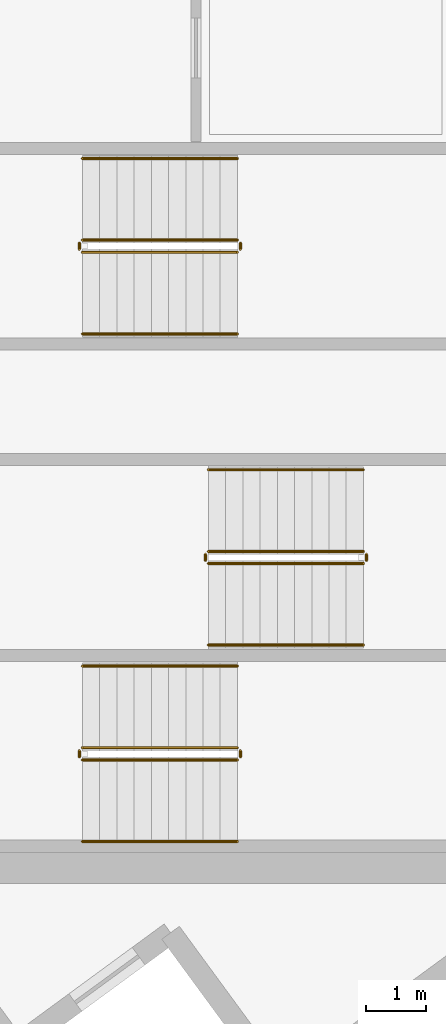
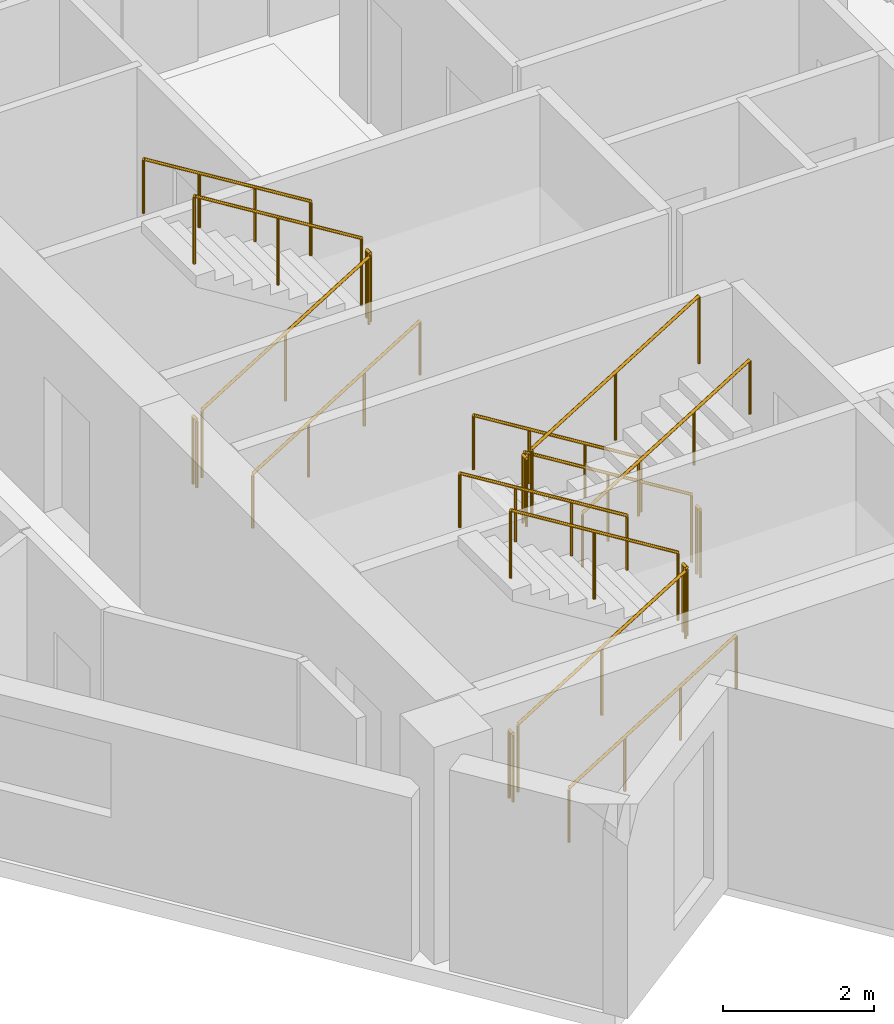
# One storey, part 13 of 14: 18 railings.
"""IFC4 building model written with IfcOpenShell, lengths in metres."""

import ifcopenshell
import ifcopenshell.guid

model = None  # the IFC model being written
_history = None  # IfcOwnerHistory: only IFC2X3 demands one
_inside = {}  # id of a spatial element -> (the spatial element, [elements in it])
_under = {}  # id of a project, library or spatial element -> (it, [spatial elements below it])
_declared = {}  # id of a project -> (the project, [libraries it declares])
_typed = {}  # id of a type object -> (the type object, [elements of that type])
_made_of = {}  # id of a material, layer set ... -> (it, [elements and type objects made of it])


def new_model(schema):
    """Start an empty IFC model of exactly this schema.

    Asked for "IFC4X3", IfcOpenShell would pick the latest addendum, in which some entities
    have other attributes; the version numbers below select the first issue.
    IFC2X3 requires an IfcOwnerHistory on every rooted entity: one is made here for all.
    """
    global model, _history
    if schema == "IFC4X3":
        model = ifcopenshell.file(schema_version=(4, 3, 0, 0))
    else:
        model = ifcopenshell.file(schema=schema)
    _inside.clear()
    _under.clear()
    _declared.clear()
    _typed.clear()
    _made_of.clear()
    _history = None
    if model.schema == "IFC2X3":
        org = make("IfcOrganization", Name="unknown")
        user = make(
            "IfcPersonAndOrganization",
            ThePerson=make("IfcPerson", FamilyName="unknown"),
            TheOrganization=org,
        )
        app = make(
            "IfcApplication",
            ApplicationDeveloper=org,
            Version="unknown",
            ApplicationFullName="unknown",
            ApplicationIdentifier="unknown",
        )
        _history = make(
            "IfcOwnerHistory",
            OwningUser=user,
            OwningApplication=app,
            ChangeAction="ADDED",
            CreationDate=0,
        )
    return model


def make(cls, **values):
    """One entity of the class cls with the attributes given. An attribute that is None is left unset."""
    return model.create_entity(
        cls, **{name: value for name, value in values.items() if value is not None}
    )


def rooted(cls, **values):
    """An entity with a GlobalId (a new one), such as an element, a storey or a relation."""
    return make(cls, GlobalId=ifcopenshell.guid.new(), OwnerHistory=_history, **values)


def si_unit(unit_type, name, prefix=None):
    """IfcSIUnit, for example si_unit("LENGTHUNIT", "METRE", prefix="MILLI")."""
    return make("IfcSIUnit", UnitType=unit_type, Prefix=prefix, Name=name)


def assignment(units):
    """IfcUnitAssignment: the units of a project."""
    return None if units is None else make("IfcUnitAssignment", Units=units)


def point(xyz):
    """IfcCartesianPoint."""
    return None if xyz is None else make("IfcCartesianPoint", Coordinates=xyz)


def direction(xyz):
    """IfcDirection."""
    return None if xyz is None else make("IfcDirection", DirectionRatios=xyz)


def frame(location, z_axis=None, x_axis=None):
    """IfcAxis2Placement3D, a coordinate frame: its origin and axes. An axis left out is left unset."""
    return make(
        "IfcAxis2Placement3D",
        Location=point(location),
        Axis=direction(z_axis),
        RefDirection=direction(x_axis),
    )


def frame_2d(location, x_axis=None):
    """IfcAxis2Placement2D, a coordinate frame in the plane: its origin and x axis."""
    return make(
        "IfcAxis2Placement2D", Location=point(location), RefDirection=direction(x_axis)
    )


def origin():
    """The frame at (0, 0, 0) with its axes left unset."""
    return frame((0.0, 0.0, 0.0))


def origin_2d():
    """The frame at (0, 0) in the plane with its x axis left unset."""
    return frame_2d((0.0, 0.0))


def place(relative_to, where):
    """IfcLocalPlacement: puts the frame where relative to a parent placement (None: the world)."""
    return make(
        "IfcLocalPlacement", PlacementRelTo=relative_to, RelativePlacement=where
    )


def context(
    kind, dimensions, precision=None, world=None, true_north=None, identifier=None
):
    """IfcGeometricRepresentationContext, for example the 3D "Model" context."""
    return make(
        "IfcGeometricRepresentationContext",
        ContextIdentifier=identifier,
        ContextType=kind,
        CoordinateSpaceDimension=dimensions,
        Precision=precision,
        WorldCoordinateSystem=world,
        TrueNorth=true_north,
    )


def subcontext(parent, identifier, kind, view, scale=None):
    """IfcGeometricRepresentationSubContext, for example "Body" below "Model"."""
    return make(
        "IfcGeometricRepresentationSubContext",
        ContextIdentifier=identifier,
        ContextType=kind,
        ParentContext=parent,
        TargetScale=scale,
        TargetView=view,
    )


def project(units=None, contexts=None):
    """IfcProject with its units and contexts."""
    return rooted(
        "IfcProject",
        Name="project",
        RepresentationContexts=contexts,
        UnitsInContext=assignment(units),
    )


def spatial(cls, under=None, at=None, **own):
    """A site, building, storey or space (cls), placed at a placement, below another one or the project."""
    s = rooted(cls, ObjectPlacement=at, **own)
    if under is not None:
        _under.setdefault(under.id(), (under, []))[1].append(s)
    return s


def profile(cls, at=None, kind="AREA", **sizes):
    """A parametric profile (cls). Its sizes go by their IFC names, for example OverallWidth=200.0."""
    return make(cls, ProfileType=kind, Position=at, **sizes)


def circle(**sizes):
    """IfcCircleProfileDef."""
    return profile("IfcCircleProfileDef", **sizes)


def extrude(swept, where, along, depth):
    """IfcExtrudedAreaSolid: the profile swept, set in the frame where, extruded along a direction by depth."""
    return make(
        "IfcExtrudedAreaSolid",
        SweptArea=swept,
        Position=where,
        ExtrudedDirection=direction(along),
        Depth=depth,
    )


def shape(context_of_items, identifier, shape_type, items):
    """IfcShapeRepresentation: the items that make up one representation, for example the "Body"."""
    return make(
        "IfcShapeRepresentation",
        ContextOfItems=context_of_items,
        RepresentationIdentifier=identifier,
        RepresentationType=shape_type,
        Items=items,
    )


def material(Name=None, Category=None):
    """IfcMaterial."""
    return make("IfcMaterial", Name=Name, Category=Category)


def made_of(thing, what):
    """Note that an element or type object is made of a material, layer set ...; save() writes the relation."""
    if what is not None:
        _made_of.setdefault(what.id(), (what, []))[1].append(thing)
    return thing


def type_object(cls, material=None, **own):
    """A type object (cls), such as IfcWallType, which elements share."""
    return made_of(rooted(cls, **own), material)


def element(
    cls,
    number,
    at=None,
    inside=None,
    cuts=None,
    type_object=None,
    material=None,
    context=None,
    identifier="Body",
    shape_type=None,
    held_by="IfcProductDefinitionShape",
    body=None,
    shapes=None,
    **own,
):
    """One element of the class cls, such as IfcWall. Its Tag is "e" and its number.

    at: its placement. inside: the storey or other place that contains it. cuts: it is an
    opening in that element (IfcRelVoidsElement). A single representation is given by context,
    identifier, shape_type and body (its items); several are given by shapes. held_by: the class
    of the entity that holds the representations. save() writes the other relations.
    """
    e = rooted(cls, Tag="e%d" % number, ObjectPlacement=at, **own)
    if body is not None:
        shapes = [shape(context, identifier, shape_type, body)]
    if shapes is not None:
        e.Representation = make(held_by, Representations=shapes)
    if inside is not None:
        _inside.setdefault(inside.id(), (inside, []))[1].append(e)
    if cuts is not None:
        rooted(
            "IfcRelVoidsElement", RelatingBuildingElement=cuts, RelatedOpeningElement=e
        )
    if type_object is not None:
        _typed.setdefault(type_object.id(), (type_object, []))[1].append(e)
    return made_of(e, material)


def aggregate(whole, parts):
    """IfcRelAggregates: a whole, such as a stair, and the parts it consists of."""
    return rooted("IfcRelAggregates", RelatingObject=whole, RelatedObjects=parts)


def save(model, path):
    """Write the relations noted so far, then the file.

    IfcRelAggregates (storeys below a building ...), IfcRelContainedInSpatialStructure (elements
    in a storey), IfcRelDefinesByType, IfcRelAssociatesMaterial and IfcRelDeclares: one each for
    every whole, place, type object, material and project.
    """
    for whole, parts in _under.values():
        aggregate(whole, parts)
    for where, things in _inside.values():
        rooted(
            "IfcRelContainedInSpatialStructure",
            RelatedElements=things,
            RelatingStructure=where,
        )
    for kind, things in _typed.values():
        rooted("IfcRelDefinesByType", RelatedObjects=things, RelatingType=kind)
    for what, things in _made_of.values():
        rooted("IfcRelAssociatesMaterial", RelatedObjects=things, RelatingMaterial=what)
    for by, libraries in _declared.values():
        rooted("IfcRelDeclares", RelatingContext=by, RelatedDefinitions=libraries)
    model.write(path)


model = new_model("IFC4")

# Units and contexts
model_context = context("Model", 3, precision=1e-05, world=origin(), true_north=direction((0.0, 1.0)))
body_context = subcontext(model_context, "Body", "Model", "MODEL_VIEW")
ifc_project = project(units=[si_unit("LENGTHUNIT", "METRE"), si_unit("AREAUNIT", "SQUARE_METRE"), si_unit("VOLUMEUNIT", "CUBIC_METRE"), si_unit("PLANEANGLEUNIT", "RADIAN"), si_unit("MASSUNIT", "GRAM", prefix="KILO")], contexts=[model_context])

# Site, building, storey
site_placement = place(None, origin())
site = spatial("IfcSite", under=ifc_project, at=site_placement, CompositionType="ELEMENT")
building_placement = place(site_placement, origin())
building = spatial("IfcBuilding", under=site, at=building_placement, Name="Narakoshi Arena Tower", CompositionType="ELEMENT")
storey_placement = place(building_placement, frame((0.0, 0.0, 250.179931640625)))
storey = spatial("IfcBuildingStorey", under=building, at=storey_placement, Name="L68", CompositionType="ELEMENT", Elevation=250.179931640625)

# Railings
ifc_material_1 = material(Name="Clear low-iron laminated structural glass", Category="glass")
railing_type_1 = type_object("IfcRailingType", Name="RL-BAL-1100", PredefinedType="BALUSTRADE", material=ifc_material_1)
railing_1_placement = place(storey_placement, frame((74.39990234375, 36.949951171875, 0.176025390625)))
element("IfcRailing", 1, at=railing_1_placement, inside=storey, type_object=railing_type_1, Name="L68 ST1 stair guard 1", PredefinedType="BALUSTRADE", context=body_context, shape_type="SweptSolid", body=[
    extrude(circle(Radius=0.02392578125, at=origin_2d()), frame((0.0, 0.0, 1.09619140625), z_axis=(0.850856559306, 0.0, 0.525398054323), x_axis=(0.0, 1.0, 0.0)), (0.0, 0.0, 1.0), 3.014892578125),
    extrude(circle(Radius=0.02099609375, at=origin_2d()), origin(), (0.0, 0.0, 1.0), 1.072021484375),
    extrude(circle(Radius=0.02099609375, at=origin_2d()), frame((1.28271484375, 0.0, 0.7919921875)), (0.0, 0.0, 1.0), 1.072021484375),
    extrude(circle(Radius=0.02099609375, at=origin_2d()), frame((2.565185546875, 0.0, 1.583984375)), (0.0, 0.0, 1.0), 1.072021484375),
])
railing_2_placement = place(storey_placement, frame((77.014892578125, 37.0, 1.760009765625)))
element("IfcRailing", 2, at=railing_2_placement, inside=storey, type_object=railing_type_1, Name="L68 ST1 stair guard 2", PredefinedType="BALUSTRADE", context=body_context, shape_type="SweptSolid", body=[
    extrude(circle(Radius=0.02392578125, at=origin_2d()), frame((0.0, 0.0, 1.09619140625), z_axis=(0.0, 1.0, 0.0), x_axis=(-1.0, 0.0, 0.0)), (0.0, 0.0, 1.0), 0.10009765625),
    extrude(circle(Radius=0.02099609375, at=origin_2d()), origin(), (0.0, 0.0, 1.0), 1.072021484375),
    extrude(circle(Radius=0.02099609375, at=origin_2d()), frame((0.0, 0.10009765625, 0.0)), (0.0, 0.0, 1.0), 1.072021484375),
])
railing_3_placement = place(storey_placement, frame((76.965087890625, 37.14990234375, 1.93603515625)))
element("IfcRailing", 3, at=railing_3_placement, inside=storey, type_object=railing_type_1, Name="L68 ST1 stair guard 3", PredefinedType="BALUSTRADE", context=body_context, shape_type="SweptSolid", body=[
    extrude(circle(Radius=0.02392578125, at=origin_2d()), frame((0.0, 0.0, 1.09619140625), z_axis=(-0.850856559306, 0.0, 0.525398054323), x_axis=(0.0, -1.0, 0.0)), (0.0, 0.0, 1.0), 3.014892578125),
    extrude(circle(Radius=0.02099609375, at=origin_2d()), origin(), (0.0, 0.0, 1.0), 1.072021484375),
    extrude(circle(Radius=0.02099609375, at=origin_2d()), frame((-1.28271484375, 0.0, 0.7919921875)), (0.0, 0.0, 1.0), 1.072021484375),
    extrude(circle(Radius=0.02099609375, at=origin_2d()), frame((-2.565185546875, 0.0, 1.583984375)), (0.0, 0.0, 1.0), 1.072021484375),
])
railing_4_placement = place(storey_placement, frame((74.35009765625, 37.0, 0.0)))
element("IfcRailing", 4, at=railing_4_placement, inside=storey, type_object=railing_type_1, Name="L68 ST1 stair guard 4", PredefinedType="BALUSTRADE", context=body_context, shape_type="SweptSolid", body=[
    extrude(circle(Radius=0.02392578125, at=origin_2d()), frame((0.0, 0.0, 1.09619140625), z_axis=(0.0, 1.0, 0.0), x_axis=(-1.0, 0.0, 0.0)), (0.0, 0.0, 1.0), 0.10009765625),
    extrude(circle(Radius=0.02099609375, at=origin_2d()), origin(), (0.0, 0.0, 1.0), 1.072021484375),
    extrude(circle(Radius=0.02099609375, at=origin_2d()), frame((0.0, 0.10009765625, 0.0)), (0.0, 0.0, 1.0), 1.072021484375),
])
railing_5_placement = place(storey_placement, frame((79.050048828125, 40.39990234375, 0.176025390625)))
element("IfcRailing", 5, at=railing_5_placement, inside=storey, type_object=railing_type_1, Name="L68 ST2 stair guard 1", PredefinedType="BALUSTRADE", context=body_context, shape_type="SweptSolid", body=[
    extrude(circle(Radius=0.02392578125, at=origin_2d()), frame((0.0, 0.0, 1.09619140625), z_axis=(-0.850834203031, 0.0, 0.525434257497), x_axis=(0.0, -1.0, 0.0)), (0.0, 0.0, 1.0), 3.0146484375),
    extrude(circle(Radius=0.02099609375, at=origin_2d()), origin(), (0.0, 0.0, 1.0), 1.072021484375),
    extrude(circle(Radius=0.02099609375, at=origin_2d()), frame((-1.282470703125, 0.0, 0.7919921875)), (0.0, 0.0, 1.0), 1.072021484375),
    extrude(circle(Radius=0.02099609375, at=origin_2d()), frame((-2.56494140625, 0.0, 1.583984375)), (0.0, 0.0, 1.0), 1.072021484375),
])
railing_6_placement = place(storey_placement, frame((76.43505859375, 40.35009765625, 1.760009765625)))
element("IfcRailing", 6, at=railing_6_placement, inside=storey, type_object=railing_type_1, Name="L68 ST2 stair guard 2", PredefinedType="BALUSTRADE", context=body_context, shape_type="SweptSolid", body=[
    extrude(circle(Radius=0.02392578125, at=origin_2d()), frame((0.0, 0.0, 1.09619140625), z_axis=(0.0, -1.0, 0.0), x_axis=(1.0, 0.0, 0.0)), (0.0, 0.0, 1.0), 0.10009765625),
    extrude(circle(Radius=0.02099609375, at=origin_2d()), origin(), (0.0, 0.0, 1.0), 1.072021484375),
    extrude(circle(Radius=0.02099609375, at=origin_2d()), frame((0.0, -0.10009765625, 0.0)), (0.0, 0.0, 1.0), 1.072021484375),
])
railing_7_placement = place(storey_placement, frame((76.485107421875, 40.199951171875, 1.93603515625)))
element("IfcRailing", 7, at=railing_7_placement, inside=storey, type_object=railing_type_1, Name="L68 ST2 stair guard 3", PredefinedType="BALUSTRADE", context=body_context, shape_type="SweptSolid", body=[
    extrude(circle(Radius=0.02392578125, at=origin_2d()), frame((0.0, 0.0, 1.09619140625), z_axis=(0.850834203031, 0.0, 0.525434257497), x_axis=(0.0, 1.0, 0.0)), (0.0, 0.0, 1.0), 3.0146484375),
    extrude(circle(Radius=0.02099609375, at=origin_2d()), origin(), (0.0, 0.0, 1.0), 1.072021484375),
    extrude(circle(Radius=0.02099609375, at=origin_2d()), frame((1.282470703125, 0.0, 0.7919921875)), (0.0, 0.0, 1.0), 1.072021484375),
    extrude(circle(Radius=0.02099609375, at=origin_2d()), frame((2.56494140625, 0.0, 1.583984375)), (0.0, 0.0, 1.0), 1.072021484375),
])
railing_8_placement = place(storey_placement, frame((79.10009765625, 40.35009765625, 0.0)))
element("IfcRailing", 8, at=railing_8_placement, inside=storey, type_object=railing_type_1, Name="L68 ST2 stair guard 4", PredefinedType="BALUSTRADE", context=body_context, shape_type="SweptSolid", body=[
    extrude(circle(Radius=0.02392578125, at=origin_2d()), frame((0.0, 0.0, 1.09619140625), z_axis=(0.0, -1.0, 0.0), x_axis=(1.0, 0.0, 0.0)), (0.0, 0.0, 1.0), 0.10009765625),
    extrude(circle(Radius=0.02099609375, at=origin_2d()), origin(), (0.0, 0.0, 1.0), 1.072021484375),
    extrude(circle(Radius=0.02099609375, at=origin_2d()), frame((0.0, -0.10009765625, 0.0)), (0.0, 0.0, 1.0), 1.072021484375),
])
railing_9_placement = place(storey_placement, frame((74.39990234375, 45.35009765625, 0.176025390625)))
element("IfcRailing", 9, at=railing_9_placement, inside=storey, type_object=railing_type_1, Name="L68 ST3 stair guard 1", PredefinedType="BALUSTRADE", context=body_context, shape_type="SweptSolid", body=[
    extrude(circle(Radius=0.02392578125, at=origin_2d()), frame((0.0, 0.0, 1.09619140625), z_axis=(0.850856559306, 0.0, 0.525398054323), x_axis=(0.0, 1.0, 0.0)), (0.0, 0.0, 1.0), 3.014892578125),
    extrude(circle(Radius=0.02099609375, at=origin_2d()), origin(), (0.0, 0.0, 1.0), 1.072021484375),
    extrude(circle(Radius=0.02099609375, at=origin_2d()), frame((1.28271484375, 0.0, 0.7919921875)), (0.0, 0.0, 1.0), 1.072021484375),
    extrude(circle(Radius=0.02099609375, at=origin_2d()), frame((2.565185546875, 0.0, 1.583984375)), (0.0, 0.0, 1.0), 1.072021484375),
])
railing_10_placement = place(storey_placement, frame((77.014892578125, 45.39990234375, 1.760009765625)))
element("IfcRailing", 10, at=railing_10_placement, inside=storey, type_object=railing_type_1, Name="L68 ST3 stair guard 2", PredefinedType="BALUSTRADE", context=body_context, shape_type="SweptSolid", body=[
    extrude(circle(Radius=0.02392578125, at=origin_2d()), frame((0.0, 0.0, 1.09619140625), z_axis=(0.0, 1.0, 0.0), x_axis=(-1.0, 0.0, 0.0)), (0.0, 0.0, 1.0), 0.10009765625),
    extrude(circle(Radius=0.02099609375, at=origin_2d()), origin(), (0.0, 0.0, 1.0), 1.072021484375),
    extrude(circle(Radius=0.02099609375, at=origin_2d()), frame((0.0, 0.10009765625, 0.0)), (0.0, 0.0, 1.0), 1.072021484375),
])
railing_11_placement = place(storey_placement, frame((76.965087890625, 45.550048828125, 1.93603515625)))
element("IfcRailing", 11, at=railing_11_placement, inside=storey, type_object=railing_type_1, Name="L68 ST3 stair guard 3", PredefinedType="BALUSTRADE", context=body_context, shape_type="SweptSolid", body=[
    extrude(circle(Radius=0.02392578125, at=origin_2d()), frame((0.0, 0.0, 1.09619140625), z_axis=(-0.850856559306, 0.0, 0.525398054323), x_axis=(0.0, -1.0, 0.0)), (0.0, 0.0, 1.0), 3.014892578125),
    extrude(circle(Radius=0.02099609375, at=origin_2d()), origin(), (0.0, 0.0, 1.0), 1.072021484375),
    extrude(circle(Radius=0.02099609375, at=origin_2d()), frame((-1.28271484375, 0.0, 0.7919921875)), (0.0, 0.0, 1.0), 1.072021484375),
    extrude(circle(Radius=0.02099609375, at=origin_2d()), frame((-2.565185546875, 0.0, 1.583984375)), (0.0, 0.0, 1.0), 1.072021484375),
])
railing_12_placement = place(storey_placement, frame((74.35009765625, 45.39990234375, 0.0)))
element("IfcRailing", 12, at=railing_12_placement, inside=storey, type_object=railing_type_1, Name="L68 ST3 stair guard 4", PredefinedType="BALUSTRADE", context=body_context, shape_type="SweptSolid", body=[
    extrude(circle(Radius=0.02392578125, at=origin_2d()), frame((0.0, 0.0, 1.09619140625), z_axis=(0.0, 1.0, 0.0), x_axis=(-1.0, 0.0, 0.0)), (0.0, 0.0, 1.0), 0.10009765625),
    extrude(circle(Radius=0.02099609375, at=origin_2d()), origin(), (0.0, 0.0, 1.0), 1.072021484375),
    extrude(circle(Radius=0.02099609375, at=origin_2d()), frame((0.0, 0.10009765625, 0.0)), (0.0, 0.0, 1.0), 1.072021484375),
])
ifc_material_2 = material(Name="Brushed bronze stainless steel", Category="steel")
railing_type_2 = type_object("IfcRailingType", Name="RL-HND-900", PredefinedType="HANDRAIL", material=ifc_material_2)
railing_13_placement = place(storey_placement, frame((74.39990234375, 35.60009765625, 0.176025390625)))
element("IfcRailing", 13, at=railing_13_placement, inside=storey, type_object=railing_type_2, Name="L68 ST1 stair handrail 1", PredefinedType="HANDRAIL", context=body_context, shape_type="SweptSolid", body=[
    extrude(circle(Radius=0.02392578125, at=origin_2d()), frame((0.0, 0.0, 0.8759765625), z_axis=(0.850856559306, 0.0, 0.525398054323), x_axis=(0.0, 1.0, 0.0)), (0.0, 0.0, 1.0), 3.014892578125),
    extrude(circle(Radius=0.02099609375, at=origin_2d()), origin(), (0.0, 0.0, 1.0), 0.851806640625),
    extrude(circle(Radius=0.02099609375, at=origin_2d()), frame((0.85498046875, 0.0, 0.528076171875)), (0.0, 0.0, 1.0), 0.851806640625),
    extrude(circle(Radius=0.02099609375, at=origin_2d()), frame((1.710205078125, 0.0, 1.055908203125)), (0.0, 0.0, 1.0), 0.851806640625),
    extrude(circle(Radius=0.02099609375, at=origin_2d()), frame((2.565185546875, 0.0, 1.583984375)), (0.0, 0.0, 1.0), 0.851806640625),
])
railing_14_placement = place(storey_placement, frame((76.965087890625, 38.5, 1.93603515625)))
element("IfcRailing", 14, at=railing_14_placement, inside=storey, type_object=railing_type_2, Name="L68 ST1 stair handrail 2", PredefinedType="HANDRAIL", context=body_context, shape_type="SweptSolid", body=[
    extrude(circle(Radius=0.02392578125, at=origin_2d()), frame((0.0, 0.0, 0.8759765625), z_axis=(-0.850856559306, 0.0, 0.525398054323), x_axis=(0.0, -1.0, 0.0)), (0.0, 0.0, 1.0), 3.014892578125),
    extrude(circle(Radius=0.02099609375, at=origin_2d()), origin(), (0.0, 0.0, 1.0), 0.851806640625),
    extrude(circle(Radius=0.02099609375, at=origin_2d()), frame((-0.85498046875, 0.0, 0.528076171875)), (0.0, 0.0, 1.0), 0.851806640625),
    extrude(circle(Radius=0.02099609375, at=origin_2d()), frame((-1.710205078125, 0.0, 1.055908203125)), (0.0, 0.0, 1.0), 0.851806640625),
    extrude(circle(Radius=0.02099609375, at=origin_2d()), frame((-2.565185546875, 0.0, 1.583984375)), (0.0, 0.0, 1.0), 0.851806640625),
])
railing_15_placement = place(storey_placement, frame((79.050048828125, 41.75, 0.176025390625)))
element("IfcRailing", 15, at=railing_15_placement, inside=storey, type_object=railing_type_2, Name="L68 ST2 stair handrail 1", PredefinedType="HANDRAIL", context=body_context, shape_type="SweptSolid", body=[
    extrude(circle(Radius=0.02392578125, at=origin_2d()), frame((0.0, 0.0, 0.8759765625), z_axis=(-0.850834203031, 0.0, 0.525434257497), x_axis=(0.0, -1.0, 0.0)), (0.0, 0.0, 1.0), 3.0146484375),
    extrude(circle(Radius=0.02099609375, at=origin_2d()), origin(), (0.0, 0.0, 1.0), 0.851806640625),
    extrude(circle(Radius=0.02099609375, at=origin_2d()), frame((-0.85498046875, 0.0, 0.528076171875)), (0.0, 0.0, 1.0), 0.851806640625),
    extrude(circle(Radius=0.02099609375, at=origin_2d()), frame((-1.7099609375, 0.0, 1.055908203125)), (0.0, 0.0, 1.0), 0.851806640625),
    extrude(circle(Radius=0.02099609375, at=origin_2d()), frame((-2.56494140625, 0.0, 1.583984375)), (0.0, 0.0, 1.0), 0.851806640625),
])
railing_16_placement = place(storey_placement, frame((76.485107421875, 38.85009765625, 1.93603515625)))
element("IfcRailing", 16, at=railing_16_placement, inside=storey, type_object=railing_type_2, Name="L68 ST2 stair handrail 2", PredefinedType="HANDRAIL", context=body_context, shape_type="SweptSolid", body=[
    extrude(circle(Radius=0.02392578125, at=origin_2d()), frame((0.0, 0.0, 0.8759765625), z_axis=(0.850834203031, 0.0, 0.525434257497), x_axis=(0.0, 1.0, 0.0)), (0.0, 0.0, 1.0), 3.0146484375),
    extrude(circle(Radius=0.02099609375, at=origin_2d()), origin(), (0.0, 0.0, 1.0), 0.851806640625),
    extrude(circle(Radius=0.02099609375, at=origin_2d()), frame((0.85498046875, 0.0, 0.528076171875)), (0.0, 0.0, 1.0), 0.851806640625),
    extrude(circle(Radius=0.02099609375, at=origin_2d()), frame((1.7099609375, 0.0, 1.055908203125)), (0.0, 0.0, 1.0), 0.851806640625),
    extrude(circle(Radius=0.02099609375, at=origin_2d()), frame((2.56494140625, 0.0, 1.583984375)), (0.0, 0.0, 1.0), 0.851806640625),
])
railing_17_placement = place(storey_placement, frame((74.39990234375, 44.0, 0.176025390625)))
element("IfcRailing", 17, at=railing_17_placement, inside=storey, type_object=railing_type_2, Name="L68 ST3 stair handrail 1", PredefinedType="HANDRAIL", context=body_context, shape_type="SweptSolid", body=[
    extrude(circle(Radius=0.02392578125, at=origin_2d()), frame((0.0, 0.0, 0.8759765625), z_axis=(0.850856559306, 0.0, 0.525398054323), x_axis=(0.0, 1.0, 0.0)), (0.0, 0.0, 1.0), 3.014892578125),
    extrude(circle(Radius=0.02099609375, at=origin_2d()), origin(), (0.0, 0.0, 1.0), 0.851806640625),
    extrude(circle(Radius=0.02099609375, at=origin_2d()), frame((0.85498046875, 0.0, 0.528076171875)), (0.0, 0.0, 1.0), 0.851806640625),
    extrude(circle(Radius=0.02099609375, at=origin_2d()), frame((1.710205078125, 0.0, 1.055908203125)), (0.0, 0.0, 1.0), 0.851806640625),
    extrude(circle(Radius=0.02099609375, at=origin_2d()), frame((2.565185546875, 0.0, 1.583984375)), (0.0, 0.0, 1.0), 0.851806640625),
])
railing_18_placement = place(storey_placement, frame((76.965087890625, 46.89990234375, 1.93603515625)))
element("IfcRailing", 18, at=railing_18_placement, inside=storey, type_object=railing_type_2, Name="L68 ST3 stair handrail 2", PredefinedType="HANDRAIL", context=body_context, shape_type="SweptSolid", body=[
    extrude(circle(Radius=0.02392578125, at=origin_2d()), frame((0.0, 0.0, 0.8759765625), z_axis=(-0.850856559306, 0.0, 0.525398054323), x_axis=(0.0, -1.0, 0.0)), (0.0, 0.0, 1.0), 3.014892578125),
    extrude(circle(Radius=0.02099609375, at=origin_2d()), origin(), (0.0, 0.0, 1.0), 0.851806640625),
    extrude(circle(Radius=0.02099609375, at=origin_2d()), frame((-0.85498046875, 0.0, 0.528076171875)), (0.0, 0.0, 1.0), 0.851806640625),
    extrude(circle(Radius=0.02099609375, at=origin_2d()), frame((-1.710205078125, 0.0, 1.055908203125)), (0.0, 0.0, 1.0), 0.851806640625),
    extrude(circle(Radius=0.02099609375, at=origin_2d()), frame((-2.565185546875, 0.0, 1.583984375)), (0.0, 0.0, 1.0), 0.851806640625),
])

save(model, "model.ifc")
